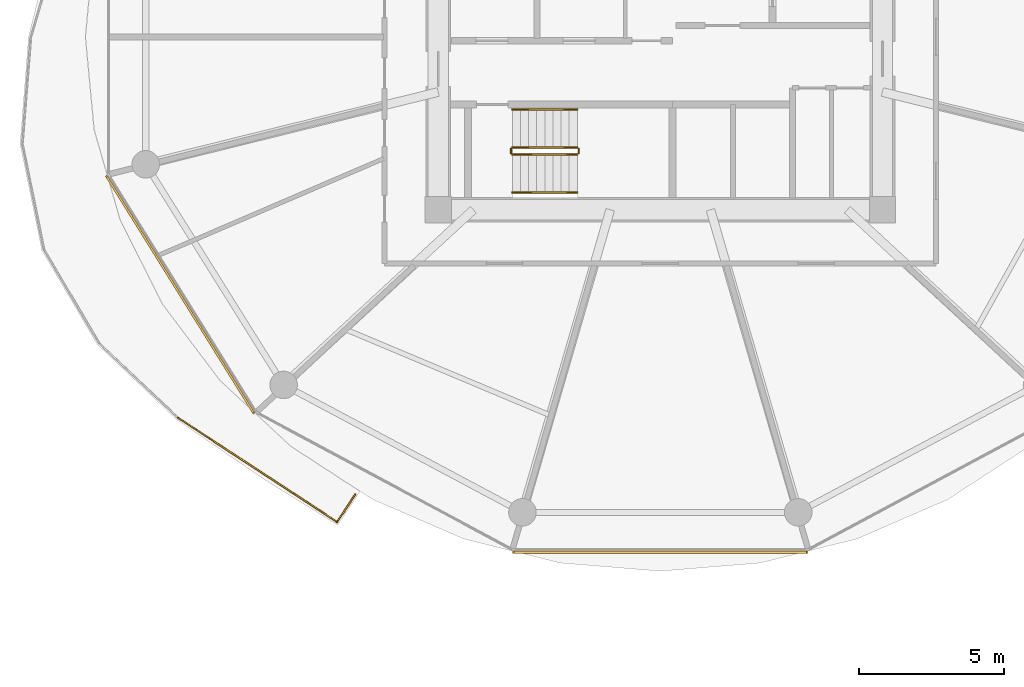
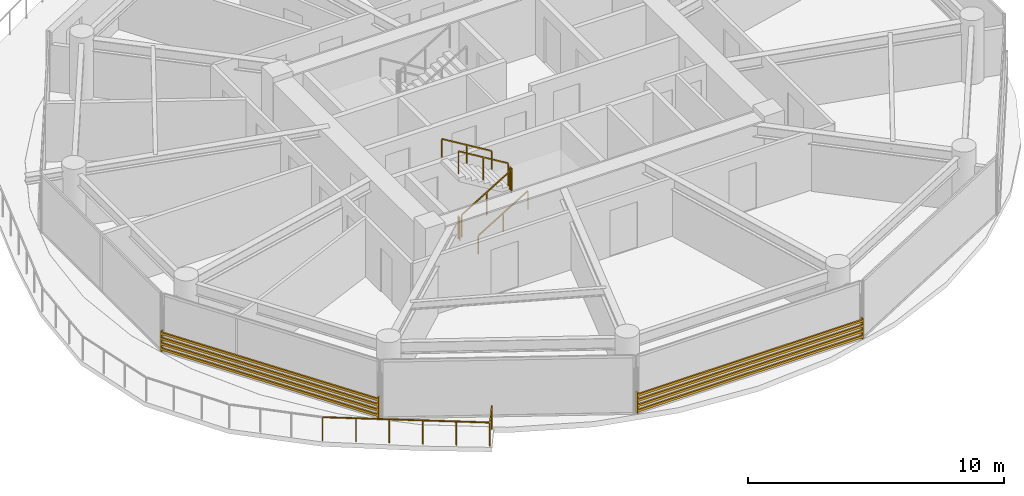
# One storey, part 23 of 27: 7 railings, 2 shading devices.
"""IFC4 building model written with IfcOpenShell, lengths in metres."""

import ifcopenshell
import ifcopenshell.guid

model = None  # the IFC model being written
_history = None  # IfcOwnerHistory: only IFC2X3 demands one
_inside = {}  # id of a spatial element -> (the spatial element, [elements in it])
_under = {}  # id of a project, library or spatial element -> (it, [spatial elements below it])
_declared = {}  # id of a project -> (the project, [libraries it declares])
_typed = {}  # id of a type object -> (the type object, [elements of that type])
_made_of = {}  # id of a material, layer set ... -> (it, [elements and type objects made of it])


def new_model(schema):
    """Start an empty IFC model of exactly this schema.

    Asked for "IFC4X3", IfcOpenShell would pick the latest addendum, in which some entities
    have other attributes; the version numbers below select the first issue.
    IFC2X3 requires an IfcOwnerHistory on every rooted entity: one is made here for all.
    """
    global model, _history
    if schema == "IFC4X3":
        model = ifcopenshell.file(schema_version=(4, 3, 0, 0))
    else:
        model = ifcopenshell.file(schema=schema)
    _inside.clear()
    _under.clear()
    _declared.clear()
    _typed.clear()
    _made_of.clear()
    _history = None
    if model.schema == "IFC2X3":
        org = make("IfcOrganization", Name="unknown")
        user = make(
            "IfcPersonAndOrganization",
            ThePerson=make("IfcPerson", FamilyName="unknown"),
            TheOrganization=org,
        )
        app = make(
            "IfcApplication",
            ApplicationDeveloper=org,
            Version="unknown",
            ApplicationFullName="unknown",
            ApplicationIdentifier="unknown",
        )
        _history = make(
            "IfcOwnerHistory",
            OwningUser=user,
            OwningApplication=app,
            ChangeAction="ADDED",
            CreationDate=0,
        )
    return model


def make(cls, **values):
    """One entity of the class cls with the attributes given. An attribute that is None is left unset."""
    return model.create_entity(
        cls, **{name: value for name, value in values.items() if value is not None}
    )


def rooted(cls, **values):
    """An entity with a GlobalId (a new one), such as an element, a storey or a relation."""
    return make(cls, GlobalId=ifcopenshell.guid.new(), OwnerHistory=_history, **values)


def si_unit(unit_type, name, prefix=None):
    """IfcSIUnit, for example si_unit("LENGTHUNIT", "METRE", prefix="MILLI")."""
    return make("IfcSIUnit", UnitType=unit_type, Prefix=prefix, Name=name)


def assignment(units):
    """IfcUnitAssignment: the units of a project."""
    return None if units is None else make("IfcUnitAssignment", Units=units)


def point(xyz):
    """IfcCartesianPoint."""
    return None if xyz is None else make("IfcCartesianPoint", Coordinates=xyz)


def direction(xyz):
    """IfcDirection."""
    return None if xyz is None else make("IfcDirection", DirectionRatios=xyz)


def frame(location, z_axis=None, x_axis=None):
    """IfcAxis2Placement3D, a coordinate frame: its origin and axes. An axis left out is left unset."""
    return make(
        "IfcAxis2Placement3D",
        Location=point(location),
        Axis=direction(z_axis),
        RefDirection=direction(x_axis),
    )


def frame_2d(location, x_axis=None):
    """IfcAxis2Placement2D, a coordinate frame in the plane: its origin and x axis."""
    return make(
        "IfcAxis2Placement2D", Location=point(location), RefDirection=direction(x_axis)
    )


def origin():
    """The frame at (0, 0, 0) with its axes left unset."""
    return frame((0.0, 0.0, 0.0))


def origin_2d():
    """The frame at (0, 0) in the plane with its x axis left unset."""
    return frame_2d((0.0, 0.0))


def place(relative_to, where):
    """IfcLocalPlacement: puts the frame where relative to a parent placement (None: the world)."""
    return make(
        "IfcLocalPlacement", PlacementRelTo=relative_to, RelativePlacement=where
    )


def context(
    kind, dimensions, precision=None, world=None, true_north=None, identifier=None
):
    """IfcGeometricRepresentationContext, for example the 3D "Model" context."""
    return make(
        "IfcGeometricRepresentationContext",
        ContextIdentifier=identifier,
        ContextType=kind,
        CoordinateSpaceDimension=dimensions,
        Precision=precision,
        WorldCoordinateSystem=world,
        TrueNorth=true_north,
    )


def subcontext(parent, identifier, kind, view, scale=None):
    """IfcGeometricRepresentationSubContext, for example "Body" below "Model"."""
    return make(
        "IfcGeometricRepresentationSubContext",
        ContextIdentifier=identifier,
        ContextType=kind,
        ParentContext=parent,
        TargetScale=scale,
        TargetView=view,
    )


def project(units=None, contexts=None):
    """IfcProject with its units and contexts."""
    return rooted(
        "IfcProject",
        Name="project",
        RepresentationContexts=contexts,
        UnitsInContext=assignment(units),
    )


def spatial(cls, under=None, at=None, **own):
    """A site, building, storey or space (cls), placed at a placement, below another one or the project."""
    s = rooted(cls, ObjectPlacement=at, **own)
    if under is not None:
        _under.setdefault(under.id(), (under, []))[1].append(s)
    return s


def profile(cls, at=None, kind="AREA", **sizes):
    """A parametric profile (cls). Its sizes go by their IFC names, for example OverallWidth=200.0."""
    return make(cls, ProfileType=kind, Position=at, **sizes)


def rectangle(**sizes):
    """IfcRectangleProfileDef."""
    return profile("IfcRectangleProfileDef", **sizes)


def extrude(swept, where, along, depth):
    """IfcExtrudedAreaSolid: the profile swept, set in the frame where, extruded along a direction by depth."""
    return make(
        "IfcExtrudedAreaSolid",
        SweptArea=swept,
        Position=where,
        ExtrudedDirection=direction(along),
        Depth=depth,
    )


def shape(context_of_items, identifier, shape_type, items):
    """IfcShapeRepresentation: the items that make up one representation, for example the "Body"."""
    return make(
        "IfcShapeRepresentation",
        ContextOfItems=context_of_items,
        RepresentationIdentifier=identifier,
        RepresentationType=shape_type,
        Items=items,
    )


def source(mapping_origin, context_of_items, identifier, shape_type, items):
    """IfcRepresentationMap: a shape defined once, which mapped items show again and again."""
    return make(
        "IfcRepresentationMap",
        MappingOrigin=mapping_origin,
        MappedRepresentation=shape(context_of_items, identifier, shape_type, items),
    )


def transform(
    local_origin,
    x_axis=None,
    y_axis=None,
    z_axis=None,
    scale=None,
    scale2=None,
    scale3=None,
    uniform=True,
):
    """IfcCartesianTransformationOperator3D, or its non-uniform kind. x_axis, y_axis, z_axis: its Axis1, 2, 3."""
    if uniform:
        return make(
            "IfcCartesianTransformationOperator3D",
            Axis1=direction(x_axis),
            Axis2=direction(y_axis),
            LocalOrigin=point(local_origin),
            Scale=scale,
            Axis3=direction(z_axis),
        )
    return make(
        "IfcCartesianTransformationOperator3DnonUniform",
        Axis1=direction(x_axis),
        Axis2=direction(y_axis),
        LocalOrigin=point(local_origin),
        Scale=scale,
        Axis3=direction(z_axis),
        Scale2=scale2,
        Scale3=scale3,
    )


def mapped(mapping_source, mapping_target):
    """IfcMappedItem: shows the shape of a source again, moved by a transform."""
    return make(
        "IfcMappedItem", MappingSource=mapping_source, MappingTarget=mapping_target
    )


def material(Name=None, Category=None):
    """IfcMaterial."""
    return make("IfcMaterial", Name=Name, Category=Category)


def made_of(thing, what):
    """Note that an element or type object is made of a material, layer set ...; save() writes the relation."""
    if what is not None:
        _made_of.setdefault(what.id(), (what, []))[1].append(thing)
    return thing


def type_object(cls, material=None, **own):
    """A type object (cls), such as IfcWallType, which elements share."""
    return made_of(rooted(cls, **own), material)


def type_shapes(of_type, sources):
    """Give a type object the sources (RepresentationMaps) that its elements show as mapped items."""
    of_type.RepresentationMaps = sources


def element(
    cls,
    number,
    at=None,
    inside=None,
    cuts=None,
    type_object=None,
    material=None,
    context=None,
    identifier="Body",
    shape_type=None,
    held_by="IfcProductDefinitionShape",
    body=None,
    shapes=None,
    **own,
):
    """One element of the class cls, such as IfcWall. Its Tag is "e" and its number.

    at: its placement. inside: the storey or other place that contains it. cuts: it is an
    opening in that element (IfcRelVoidsElement). A single representation is given by context,
    identifier, shape_type and body (its items); several are given by shapes. held_by: the class
    of the entity that holds the representations. save() writes the other relations.
    """
    e = rooted(cls, Tag="e%d" % number, ObjectPlacement=at, **own)
    if body is not None:
        shapes = [shape(context, identifier, shape_type, body)]
    if shapes is not None:
        e.Representation = make(held_by, Representations=shapes)
    if inside is not None:
        _inside.setdefault(inside.id(), (inside, []))[1].append(e)
    if cuts is not None:
        rooted(
            "IfcRelVoidsElement", RelatingBuildingElement=cuts, RelatedOpeningElement=e
        )
    if type_object is not None:
        _typed.setdefault(type_object.id(), (type_object, []))[1].append(e)
    return made_of(e, material)


def aggregate(whole, parts):
    """IfcRelAggregates: a whole, such as a stair, and the parts it consists of."""
    return rooted("IfcRelAggregates", RelatingObject=whole, RelatedObjects=parts)


def save(model, path):
    """Write the relations noted so far, then the file.

    IfcRelAggregates (storeys below a building ...), IfcRelContainedInSpatialStructure (elements
    in a storey), IfcRelDefinesByType, IfcRelAssociatesMaterial and IfcRelDeclares: one each for
    every whole, place, type object, material and project.
    """
    for whole, parts in _under.values():
        aggregate(whole, parts)
    for where, things in _inside.values():
        rooted(
            "IfcRelContainedInSpatialStructure",
            RelatedElements=things,
            RelatingStructure=where,
        )
    for kind, things in _typed.values():
        rooted("IfcRelDefinesByType", RelatedObjects=things, RelatingType=kind)
    for what, things in _made_of.values():
        rooted("IfcRelAssociatesMaterial", RelatedObjects=things, RelatingMaterial=what)
    for by, libraries in _declared.values():
        rooted("IfcRelDeclares", RelatingContext=by, RelatedDefinitions=libraries)
    model.write(path)


model = new_model("IFC4")

# Units and contexts
model_context = context("Model", 3, precision=1e-05, world=origin(), true_north=direction((0.0, 1.0)))
body_context = subcontext(model_context, "Body", "Model", "MODEL_VIEW")
ifc_project = project(units=[si_unit("LENGTHUNIT", "METRE"), si_unit("AREAUNIT", "SQUARE_METRE"), si_unit("VOLUMEUNIT", "CUBIC_METRE"), si_unit("PLANEANGLEUNIT", "RADIAN"), si_unit("MASSUNIT", "GRAM", prefix="KILO")], contexts=[model_context])

# Site, building, storey
site_placement = place(None, origin())
site = spatial("IfcSite", under=ifc_project, at=site_placement, CompositionType="ELEMENT")
building_placement = place(site_placement, origin())
building = spatial("IfcBuilding", under=site, at=building_placement, Name="Norrkilde Senior Care Towers", CompositionType="ELEMENT")
storey_placement = place(building_placement, frame((0.0, 0.0, 30.75)))
storey = spatial("IfcBuildingStorey", under=building, at=storey_placement, Name="L08", CompositionType="ELEMENT", Elevation=30.75)

# Railings
ifc_material_1 = material(Name="Anodised Aluminium", Category="aluminium")
railing_type_1 = type_object("IfcRailingType", Name="Balcony Swirl Ribbon Guardrail 1150", PredefinedType="GUARDRAIL", material=ifc_material_1)
railing_1_placement = place(storey_placement, frame((-38.505859375, -15.75537109375, 0.0)))
element("IfcRailing", 1, at=railing_1_placement, inside=storey, type_object=railing_type_1, Name="L08 Perimeter Safety Guard 04", PredefinedType="GUARDRAIL", context=body_context, shape_type="SweptSolid", body=[
    extrude(rectangle(XDim=0.048095703125, YDim=0.048095703125, at=origin_2d()), frame((0.0, 0.0, 1.1259765625), z_axis=(-0.551233287913, -0.834351162459, 0.0), x_axis=(0.834351162459, -0.551233287913, 0.0)), (0.0, 0.0, 1.0), 1.09814453125),
    extrude(rectangle(XDim=0.048095703125, YDim=0.048095703125, at=origin_2d()), frame((-0.662109375, -0.927978515625, 1.1259765625), z_axis=(-0.836580100019, 0.54784462784, 0.0), x_axis=(-0.54784462784, -0.836580100019, 0.0)), (0.0, 0.0, 1.0), 6.510498046875),
    extrude(rectangle(XDim=0.0419921875, YDim=0.0419921875, at=origin_2d()), origin(), (0.0, 0.0, 1.0), 1.099853515625),
    extrude(rectangle(XDim=0.0419921875, YDim=0.0419921875, at=origin_2d()), frame((-0.6279296875, -0.950439453125, 0.0)), (0.0, 0.0, 1.0), 1.099853515625),
    extrude(rectangle(XDim=0.0419921875, YDim=0.0419921875, at=origin_2d()), frame((-1.72412109375, -0.232666015625, 0.0)), (0.0, 0.0, 1.0), 1.099853515625),
    extrude(rectangle(XDim=0.0419921875, YDim=0.0419921875, at=origin_2d()), frame((-2.8203125, 0.485107421875, 0.0)), (0.0, 0.0, 1.0), 1.099853515625),
    extrude(rectangle(XDim=0.0419921875, YDim=0.0419921875, at=origin_2d()), frame((-3.916259765625, 1.203125, 0.0)), (0.0, 0.0, 1.0), 1.099853515625),
    extrude(rectangle(XDim=0.0419921875, YDim=0.0419921875, at=origin_2d()), frame((-5.012451171875, 1.9208984375, 0.0)), (0.0, 0.0, 1.0), 1.099853515625),
    extrude(rectangle(XDim=0.0419921875, YDim=0.0419921875, at=origin_2d()), frame((-6.108642578125, 2.638671875, 0.0)), (0.0, 0.0, 1.0), 1.099853515625),
])
ifc_material_2 = material(Name="Stainless Steel", Category="steel")
railing_type_2 = type_object("IfcRailingType", Name="Stair and Terrace Guardrail 1100", PredefinedType="GUARDRAIL", material=ifc_material_2)
railing_2_placement = place(storey_placement, frame((-33.10009765625, -4.050048828125, 0.16943359375)))
element("IfcRailing", 2, at=railing_2_placement, inside=storey, type_object=railing_type_2, Name="L08 ST-W2 stair guard 1", PredefinedType="GUARDRAIL", context=body_context, shape_type="SweptSolid", body=[
    extrude(rectangle(XDim=0.048095703125, YDim=0.048095703125, at=origin_2d()), frame((0.0, 0.0, 1.076171875), z_axis=(0.855553338991, 0.0, 0.51771467445), x_axis=(0.0, 1.0, 0.0)), (0.0, 0.0, 1.0), 2.6181640625),
    extrude(rectangle(XDim=0.0419921875, YDim=0.0419921875, at=origin_2d()), origin(), (0.0, 0.0, 1.0), 1.050048828125),
    extrude(rectangle(XDim=0.0419921875, YDim=0.0419921875, at=origin_2d()), frame((1.1201171875, 0.0, 0.677734375)), (0.0, 0.0, 1.0), 1.050048828125),
    extrude(rectangle(XDim=0.0419921875, YDim=0.0419921875, at=origin_2d()), frame((2.239990234375, 0.0, 1.35546875)), (0.0, 0.0, 1.0), 1.050048828125),
])
railing_3_placement = place(storey_placement, frame((-30.81005859375, -4.0, 1.52490234375)))
element("IfcRailing", 3, at=railing_3_placement, inside=storey, type_object=railing_type_2, Name="L08 ST-W2 stair guard 2", PredefinedType="GUARDRAIL", context=body_context, shape_type="SweptSolid", body=[
    extrude(rectangle(XDim=0.048095703125, YDim=0.048095703125, at=origin_2d()), frame((0.0, 0.0, 1.076171875), z_axis=(0.0, 1.0, 0.0), x_axis=(-1.0, 0.0, 0.0)), (0.0, 0.0, 1.0), 0.14990234375),
    extrude(rectangle(XDim=0.0419921875, YDim=0.0419921875, at=origin_2d()), origin(), (0.0, 0.0, 1.0), 1.050048828125),
    extrude(rectangle(XDim=0.0419921875, YDim=0.0419921875, at=origin_2d()), frame((0.0, 0.14990234375, 0.0)), (0.0, 0.0, 1.0), 1.050048828125),
])
railing_4_placement = place(storey_placement, frame((-30.860107421875, -3.800048828125, 1.6943359375)))
element("IfcRailing", 4, at=railing_4_placement, inside=storey, type_object=railing_type_2, Name="L08 ST-W2 stair guard 3", PredefinedType="GUARDRAIL", context=body_context, shape_type="SweptSolid", body=[
    extrude(rectangle(XDim=0.048095703125, YDim=0.048095703125, at=origin_2d()), frame((0.0, 0.0, 1.076171875), z_axis=(-0.855512035549, 0.0, 0.517782924622), x_axis=(0.0, -1.0, 0.0)), (0.0, 0.0, 1.0), 2.618408203125),
    extrude(rectangle(XDim=0.0419921875, YDim=0.0419921875, at=origin_2d()), origin(), (0.0, 0.0, 1.0), 1.050048828125),
    extrude(rectangle(XDim=0.0419921875, YDim=0.0419921875, at=origin_2d()), frame((-1.1201171875, 0.0, 0.677734375)), (0.0, 0.0, 1.0), 1.050048828125),
    extrude(rectangle(XDim=0.0419921875, YDim=0.0419921875, at=origin_2d()), frame((-2.239990234375, 0.0, 1.355712890625)), (0.0, 0.0, 1.0), 1.050048828125),
])
railing_5_placement = place(storey_placement, frame((-33.14990234375, -4.0, 0.0)))
element("IfcRailing", 5, at=railing_5_placement, inside=storey, type_object=railing_type_2, Name="L08 ST-W2 stair guard 4", PredefinedType="GUARDRAIL", context=body_context, shape_type="SweptSolid", body=[
    extrude(rectangle(XDim=0.048095703125, YDim=0.048095703125, at=origin_2d()), frame((0.0, 0.0, 1.076171875), z_axis=(0.0, 1.0, 0.0), x_axis=(-1.0, 0.0, 0.0)), (0.0, 0.0, 1.0), 0.14990234375),
    extrude(rectangle(XDim=0.0419921875, YDim=0.0419921875, at=origin_2d()), origin(), (0.0, 0.0, 1.0), 1.050048828125),
    extrude(rectangle(XDim=0.0419921875, YDim=0.0419921875, at=origin_2d()), frame((0.0, 0.14990234375, 0.0)), (0.0, 0.0, 1.0), 1.050048828125),
])
ifc_material_3 = material(Name="Nordic Ash Timber", Category="wood")
railing_type_3 = type_object("IfcRailingType", Name="Wall and Stair Handrail 900", PredefinedType="HANDRAIL", material=ifc_material_3)
railing_6_placement = place(storey_placement, frame((-33.10009765625, -5.35009765625, 0.16943359375)))
element("IfcRailing", 6, at=railing_6_placement, inside=storey, type_object=railing_type_3, Name="L08 ST-W2 stair handrail 1", PredefinedType="HANDRAIL", context=body_context, shape_type="SweptSolid", body=[
    extrude(rectangle(XDim=0.048095703125, YDim=0.048095703125, at=origin_2d()), frame((0.0, 0.0, 0.8759765625), z_axis=(0.855553338991, 0.0, 0.51771467445), x_axis=(0.0, 1.0, 0.0)), (0.0, 0.0, 1.0), 2.6181640625),
    extrude(rectangle(XDim=0.0419921875, YDim=0.0419921875, at=origin_2d()), origin(), (0.0, 0.0, 1.0), 0.849853515625),
    extrude(rectangle(XDim=0.0419921875, YDim=0.0419921875, at=origin_2d()), frame((1.1201171875, 0.0, 0.677734375)), (0.0, 0.0, 1.0), 0.849853515625),
    extrude(rectangle(XDim=0.0419921875, YDim=0.0419921875, at=origin_2d()), frame((2.239990234375, 0.0, 1.35546875)), (0.0, 0.0, 1.0), 0.849853515625),
])
railing_7_placement = place(storey_placement, frame((-30.860107421875, -2.5, 1.6943359375)))
element("IfcRailing", 7, at=railing_7_placement, inside=storey, type_object=railing_type_3, Name="L08 ST-W2 stair handrail 2", PredefinedType="HANDRAIL", context=body_context, shape_type="SweptSolid", body=[
    extrude(rectangle(XDim=0.048095703125, YDim=0.048095703125, at=origin_2d()), frame((0.0, 0.0, 0.8759765625), z_axis=(-0.855512035549, 0.0, 0.517782924622), x_axis=(0.0, -1.0, 0.0)), (0.0, 0.0, 1.0), 2.618408203125),
    extrude(rectangle(XDim=0.0419921875, YDim=0.0419921875, at=origin_2d()), origin(), (0.0, 0.0, 1.0), 0.849853515625),
    extrude(rectangle(XDim=0.0419921875, YDim=0.0419921875, at=origin_2d()), frame((-1.1201171875, 0.0, 0.677734375)), (0.0, 0.0, 1.0), 0.849853515625),
    extrude(rectangle(XDim=0.0419921875, YDim=0.0419921875, at=origin_2d()), frame((-2.239990234375, 0.0, 1.355712890625)), (0.0, 0.0, 1.0), 0.849853515625),
])

# Shading devices
ifc_material_4 = material(Name="Architectural Terracotta", Category="masonry")
shading_device_type = type_object("IfcShadingDeviceType", Name="Horizontal Terracotta Baguette Rack", PredefinedType="USERDEFINED", material=ifc_material_4)
shared_shape_1 = source(origin(), body_context, "Body", "SweptSolid", [
    extrude(rectangle(XDim=0.070068359375, YDim=0.110107421875, at=origin_2d()), frame((0.0, 0.090087890625, 0.125), z_axis=(1.0, 0.0, 0.0), x_axis=(0.0, 1.0, 0.0)), (0.0, 0.0, 1.0), 9.64892578125),
    extrude(rectangle(XDim=0.070068359375, YDim=0.110107421875, at=origin_2d()), frame((0.0, 0.090087890625, 0.375), z_axis=(1.0, 0.0, 0.0), x_axis=(0.0, 1.0, 0.0)), (0.0, 0.0, 1.0), 9.64892578125),
    extrude(rectangle(XDim=0.070068359375, YDim=0.110107421875, at=origin_2d()), frame((0.0, 0.090087890625, 0.625), z_axis=(1.0, 0.0, 0.0), x_axis=(0.0, 1.0, 0.0)), (0.0, 0.0, 1.0), 9.64892578125),
    extrude(rectangle(XDim=0.070068359375, YDim=0.110107421875, at=origin_2d()), frame((0.0, 0.090087890625, 0.875), z_axis=(1.0, 0.0, 0.0), x_axis=(0.0, 1.0, 0.0)), (0.0, 0.0, 1.0), 9.64892578125),
    extrude(rectangle(XDim=0.050048828125, YDim=0.1552734375, at=origin_2d()), frame((0.02490234375, 0.047607421875, 0.0)), (0.0, 0.0, 1.0), 1.0),
    extrude(rectangle(XDim=0.050048828125, YDim=0.1552734375, at=origin_2d()), frame((9.6240234375, 0.047607421875, 0.0)), (0.0, 0.0, 1.0), 1.0),
])
shading_device_1_placement = place(storey_placement, frame((-41.915771484375, -12.926025390625, 0.080078125), z_axis=(0.0, 0.0, 1.0), x_axis=(-0.527908506655, 0.849299124538, 0.0)))
element("IfcShadingDevice", 8, at=shading_device_1_placement, inside=storey, type_object=shading_device_type, Name="L08 Drum W Terracotta Baguette Screen 06", ObjectType="BAGUETTE", PredefinedType="USERDEFINED", context=body_context, shape_type="MappedRepresentation", body=[
    mapped(shared_shape_1, transform((0.0, 0.0, 0.0), x_axis=(1.0, 0.0, 0.0), y_axis=(0.0, 1.0, 0.0), z_axis=(0.0, 0.0, 1.0), scale=1.0)),
])
shared_shape_2 = source(origin(), body_context, "Body", "SweptSolid", [
    extrude(rectangle(XDim=0.070068359375, YDim=0.110107421875, at=origin_2d()), frame((0.0, 0.090087890625, 0.125), z_axis=(1.0, 0.0, 0.0), x_axis=(0.0, 1.0, 0.0)), (0.0, 0.0, 1.0), 10.18701171875),
    extrude(rectangle(XDim=0.070068359375, YDim=0.110107421875, at=origin_2d()), frame((0.0, 0.090087890625, 0.375), z_axis=(1.0, 0.0, 0.0), x_axis=(0.0, 1.0, 0.0)), (0.0, 0.0, 1.0), 10.18701171875),
    extrude(rectangle(XDim=0.070068359375, YDim=0.110107421875, at=origin_2d()), frame((0.0, 0.090087890625, 0.625), z_axis=(1.0, 0.0, 0.0), x_axis=(0.0, 1.0, 0.0)), (0.0, 0.0, 1.0), 10.18701171875),
    extrude(rectangle(XDim=0.070068359375, YDim=0.110107421875, at=origin_2d()), frame((0.0, 0.090087890625, 0.875), z_axis=(1.0, 0.0, 0.0), x_axis=(0.0, 1.0, 0.0)), (0.0, 0.0, 1.0), 10.18701171875),
    extrude(rectangle(XDim=0.050048828125, YDim=0.1552734375, at=origin_2d()), frame((0.02490234375, 0.047607421875, 0.0)), (0.0, 0.0, 1.0), 1.0),
    extrude(rectangle(XDim=0.050048828125, YDim=0.1552734375, at=origin_2d()), frame((10.162109375, 0.047607421875, 0.0)), (0.0, 0.0, 1.0), 1.0),
])
type_shapes(shading_device_type, [shared_shape_1, shared_shape_2])
shading_device_2_placement = place(storey_placement, frame((-22.906494140625, -17.6572265625, 0.080078125), z_axis=(0.0, 0.0, 1.0), x_axis=(-1.0, 0.0, 0.0)))
element("IfcShadingDevice", 9, at=shading_device_2_placement, inside=storey, type_object=shading_device_type, Name="L08 Drum W Terracotta Baguette Screen 08", ObjectType="BAGUETTE", PredefinedType="USERDEFINED", context=body_context, shape_type="MappedRepresentation", body=[
    mapped(shared_shape_2, transform((0.0, 0.0, 0.0), x_axis=(1.0, 0.0, 0.0), y_axis=(0.0, 1.0, 0.0), z_axis=(0.0, 0.0, 1.0), scale=1.0)),
])

save(model, "model.ifc")
